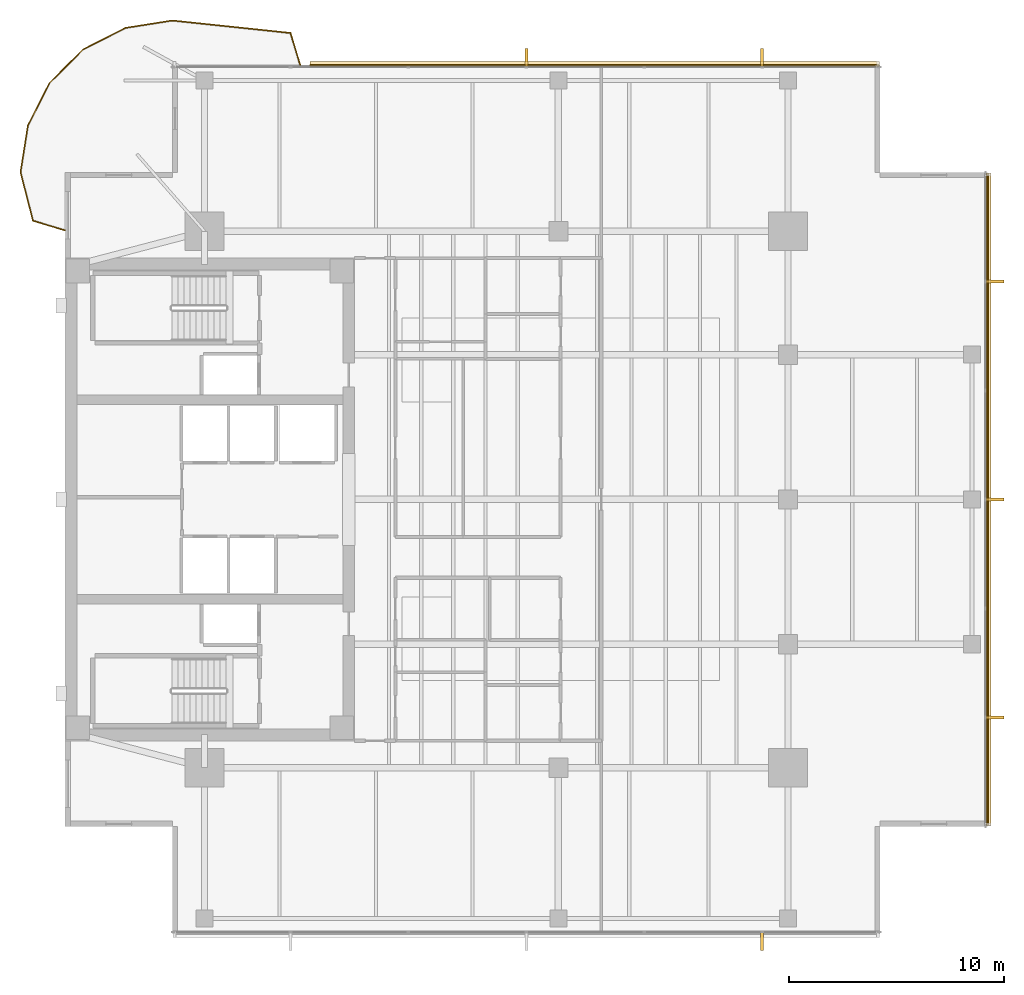
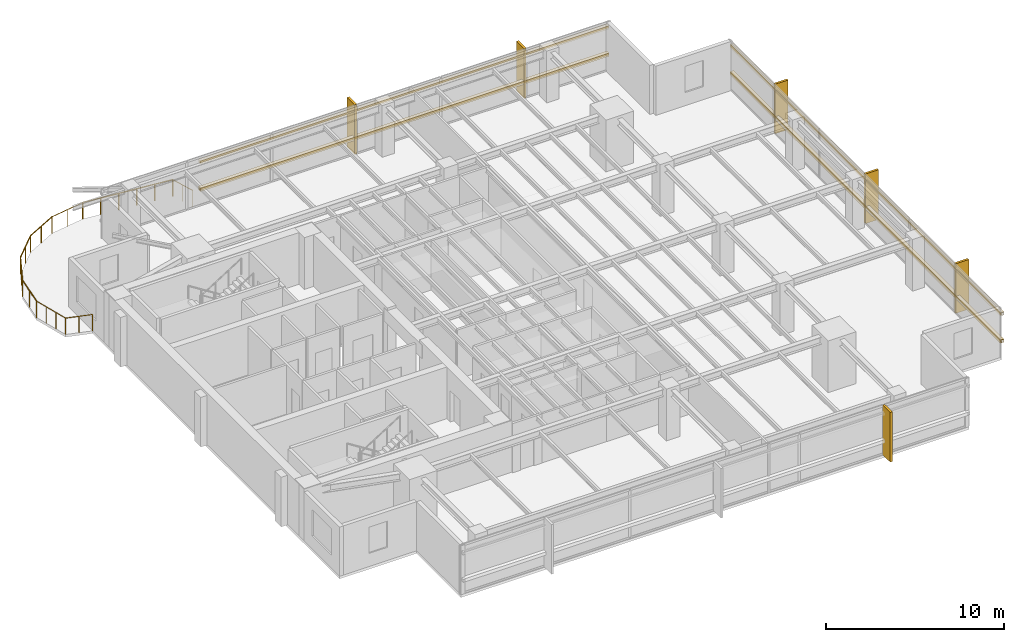
# One storey, part 14 of 14: 10 coverings, 9 railings, 4 shading devices.
"""IFC4 building model written with IfcOpenShell, lengths in metres."""

import ifcopenshell
import ifcopenshell.guid

model = None  # the IFC model being written
_history = None  # IfcOwnerHistory: only IFC2X3 demands one
_inside = {}  # id of a spatial element -> (the spatial element, [elements in it])
_under = {}  # id of a project, library or spatial element -> (it, [spatial elements below it])
_declared = {}  # id of a project -> (the project, [libraries it declares])
_typed = {}  # id of a type object -> (the type object, [elements of that type])
_made_of = {}  # id of a material, layer set ... -> (it, [elements and type objects made of it])


def new_model(schema):
    """Start an empty IFC model of exactly this schema.

    Asked for "IFC4X3", IfcOpenShell would pick the latest addendum, in which some entities
    have other attributes; the version numbers below select the first issue.
    IFC2X3 requires an IfcOwnerHistory on every rooted entity: one is made here for all.
    """
    global model, _history
    if schema == "IFC4X3":
        model = ifcopenshell.file(schema_version=(4, 3, 0, 0))
    else:
        model = ifcopenshell.file(schema=schema)
    _inside.clear()
    _under.clear()
    _declared.clear()
    _typed.clear()
    _made_of.clear()
    _history = None
    if model.schema == "IFC2X3":
        org = make("IfcOrganization", Name="unknown")
        user = make(
            "IfcPersonAndOrganization",
            ThePerson=make("IfcPerson", FamilyName="unknown"),
            TheOrganization=org,
        )
        app = make(
            "IfcApplication",
            ApplicationDeveloper=org,
            Version="unknown",
            ApplicationFullName="unknown",
            ApplicationIdentifier="unknown",
        )
        _history = make(
            "IfcOwnerHistory",
            OwningUser=user,
            OwningApplication=app,
            ChangeAction="ADDED",
            CreationDate=0,
        )
    return model


def make(cls, **values):
    """One entity of the class cls with the attributes given. An attribute that is None is left unset."""
    return model.create_entity(
        cls, **{name: value for name, value in values.items() if value is not None}
    )


def rooted(cls, **values):
    """An entity with a GlobalId (a new one), such as an element, a storey or a relation."""
    return make(cls, GlobalId=ifcopenshell.guid.new(), OwnerHistory=_history, **values)


def si_unit(unit_type, name, prefix=None):
    """IfcSIUnit, for example si_unit("LENGTHUNIT", "METRE", prefix="MILLI")."""
    return make("IfcSIUnit", UnitType=unit_type, Prefix=prefix, Name=name)


def assignment(units):
    """IfcUnitAssignment: the units of a project."""
    return None if units is None else make("IfcUnitAssignment", Units=units)


def point(xyz):
    """IfcCartesianPoint."""
    return None if xyz is None else make("IfcCartesianPoint", Coordinates=xyz)


def direction(xyz):
    """IfcDirection."""
    return None if xyz is None else make("IfcDirection", DirectionRatios=xyz)


def frame(location, z_axis=None, x_axis=None):
    """IfcAxis2Placement3D, a coordinate frame: its origin and axes. An axis left out is left unset."""
    return make(
        "IfcAxis2Placement3D",
        Location=point(location),
        Axis=direction(z_axis),
        RefDirection=direction(x_axis),
    )


def frame_2d(location, x_axis=None):
    """IfcAxis2Placement2D, a coordinate frame in the plane: its origin and x axis."""
    return make(
        "IfcAxis2Placement2D", Location=point(location), RefDirection=direction(x_axis)
    )


def origin():
    """The frame at (0, 0, 0) with its axes left unset."""
    return frame((0.0, 0.0, 0.0))


def origin_2d():
    """The frame at (0, 0) in the plane with its x axis left unset."""
    return frame_2d((0.0, 0.0))


def place(relative_to, where):
    """IfcLocalPlacement: puts the frame where relative to a parent placement (None: the world)."""
    return make(
        "IfcLocalPlacement", PlacementRelTo=relative_to, RelativePlacement=where
    )


def context(
    kind, dimensions, precision=None, world=None, true_north=None, identifier=None
):
    """IfcGeometricRepresentationContext, for example the 3D "Model" context."""
    return make(
        "IfcGeometricRepresentationContext",
        ContextIdentifier=identifier,
        ContextType=kind,
        CoordinateSpaceDimension=dimensions,
        Precision=precision,
        WorldCoordinateSystem=world,
        TrueNorth=true_north,
    )


def subcontext(parent, identifier, kind, view, scale=None):
    """IfcGeometricRepresentationSubContext, for example "Body" below "Model"."""
    return make(
        "IfcGeometricRepresentationSubContext",
        ContextIdentifier=identifier,
        ContextType=kind,
        ParentContext=parent,
        TargetScale=scale,
        TargetView=view,
    )


def project(units=None, contexts=None):
    """IfcProject with its units and contexts."""
    return rooted(
        "IfcProject",
        Name="project",
        RepresentationContexts=contexts,
        UnitsInContext=assignment(units),
    )


def spatial(cls, under=None, at=None, **own):
    """A site, building, storey or space (cls), placed at a placement, below another one or the project."""
    s = rooted(cls, ObjectPlacement=at, **own)
    if under is not None:
        _under.setdefault(under.id(), (under, []))[1].append(s)
    return s


def polyline(points):
    """IfcPolyline through the points."""
    return make("IfcPolyline", Points=[point(p) for p in points])


def profile(cls, at=None, kind="AREA", **sizes):
    """A parametric profile (cls). Its sizes go by their IFC names, for example OverallWidth=200.0."""
    return make(cls, ProfileType=kind, Position=at, **sizes)


def rectangle(**sizes):
    """IfcRectangleProfileDef."""
    return profile("IfcRectangleProfileDef", **sizes)


def circle(**sizes):
    """IfcCircleProfileDef."""
    return profile("IfcCircleProfileDef", **sizes)


def outline(outer, holes=None, kind="AREA"):
    """IfcArbitraryClosedProfileDef: a profile drawn as a closed curve; with holes, ...WithVoids."""
    if holes is None:
        return make("IfcArbitraryClosedProfileDef", ProfileType=kind, OuterCurve=outer)
    return make(
        "IfcArbitraryProfileDefWithVoids",
        ProfileType=kind,
        OuterCurve=outer,
        InnerCurves=holes,
    )


def extrude(swept, where, along, depth):
    """IfcExtrudedAreaSolid: the profile swept, set in the frame where, extruded along a direction by depth."""
    return make(
        "IfcExtrudedAreaSolid",
        SweptArea=swept,
        Position=where,
        ExtrudedDirection=direction(along),
        Depth=depth,
    )


def shape(context_of_items, identifier, shape_type, items):
    """IfcShapeRepresentation: the items that make up one representation, for example the "Body"."""
    return make(
        "IfcShapeRepresentation",
        ContextOfItems=context_of_items,
        RepresentationIdentifier=identifier,
        RepresentationType=shape_type,
        Items=items,
    )


def material(Name=None, Category=None):
    """IfcMaterial."""
    return make("IfcMaterial", Name=Name, Category=Category)


def layer(
    of_material, thickness, ventilated=None, Name=None, Category=None, Priority=None
):
    """IfcMaterialLayer: one layer of a wall or slab, of a material (None: an air gap)."""
    return make(
        "IfcMaterialLayer",
        Material=of_material,
        LayerThickness=thickness,
        IsVentilated=ventilated,
        Name=Name,
        Category=Category,
        Priority=Priority,
    )


def layer_set(layers, Name=None):
    """IfcMaterialLayerSet."""
    return make("IfcMaterialLayerSet", MaterialLayers=layers, LayerSetName=Name)


def material_profile(
    of_material, cross_section, Name=None, Category=None, Priority=None
):
    """IfcMaterialProfile: a cross section and its material."""
    return make(
        "IfcMaterialProfile",
        Name=Name,
        Material=of_material,
        Profile=cross_section,
        Priority=Priority,
        Category=Category,
    )


def profile_set(profiles, Name=None, composite=None):
    """IfcMaterialProfileSet."""
    return make(
        "IfcMaterialProfileSet",
        Name=Name,
        MaterialProfiles=profiles,
        CompositeProfile=composite,
    )


def made_of(thing, what):
    """Note that an element or type object is made of a material, layer set ...; save() writes the relation."""
    if what is not None:
        _made_of.setdefault(what.id(), (what, []))[1].append(thing)
    return thing


def type_object(cls, material=None, **own):
    """A type object (cls), such as IfcWallType, which elements share."""
    return made_of(rooted(cls, **own), material)


def element(
    cls,
    number,
    at=None,
    inside=None,
    cuts=None,
    type_object=None,
    material=None,
    context=None,
    identifier="Body",
    shape_type=None,
    held_by="IfcProductDefinitionShape",
    body=None,
    shapes=None,
    **own,
):
    """One element of the class cls, such as IfcWall. Its Tag is "e" and its number.

    at: its placement. inside: the storey or other place that contains it. cuts: it is an
    opening in that element (IfcRelVoidsElement). A single representation is given by context,
    identifier, shape_type and body (its items); several are given by shapes. held_by: the class
    of the entity that holds the representations. save() writes the other relations.
    """
    e = rooted(cls, Tag="e%d" % number, ObjectPlacement=at, **own)
    if body is not None:
        shapes = [shape(context, identifier, shape_type, body)]
    if shapes is not None:
        e.Representation = make(held_by, Representations=shapes)
    if inside is not None:
        _inside.setdefault(inside.id(), (inside, []))[1].append(e)
    if cuts is not None:
        rooted(
            "IfcRelVoidsElement", RelatingBuildingElement=cuts, RelatedOpeningElement=e
        )
    if type_object is not None:
        _typed.setdefault(type_object.id(), (type_object, []))[1].append(e)
    return made_of(e, material)


def aggregate(whole, parts):
    """IfcRelAggregates: a whole, such as a stair, and the parts it consists of."""
    return rooted("IfcRelAggregates", RelatingObject=whole, RelatedObjects=parts)


def save(model, path):
    """Write the relations noted so far, then the file.

    IfcRelAggregates (storeys below a building ...), IfcRelContainedInSpatialStructure (elements
    in a storey), IfcRelDefinesByType, IfcRelAssociatesMaterial and IfcRelDeclares: one each for
    every whole, place, type object, material and project.
    """
    for whole, parts in _under.values():
        aggregate(whole, parts)
    for where, things in _inside.values():
        rooted(
            "IfcRelContainedInSpatialStructure",
            RelatedElements=things,
            RelatingStructure=where,
        )
    for kind, things in _typed.values():
        rooted("IfcRelDefinesByType", RelatedObjects=things, RelatingType=kind)
    for what, things in _made_of.values():
        rooted("IfcRelAssociatesMaterial", RelatedObjects=things, RelatingMaterial=what)
    for by, libraries in _declared.values():
        rooted("IfcRelDeclares", RelatingContext=by, RelatedDefinitions=libraries)
    model.write(path)


model = new_model("IFC4")

# Units and contexts
model_context = context("Model", 3, precision=1e-05, world=origin(), true_north=direction((0.0, 1.0)))
body_context = subcontext(model_context, "Body", "Model", "MODEL_VIEW")
ifc_project = project(units=[si_unit("LENGTHUNIT", "METRE"), si_unit("AREAUNIT", "SQUARE_METRE"), si_unit("VOLUMEUNIT", "CUBIC_METRE"), si_unit("PLANEANGLEUNIT", "RADIAN"), si_unit("MASSUNIT", "GRAM", prefix="KILO")], contexts=[model_context])

# Site, building, storey
site_placement = place(None, origin())
site = spatial("IfcSite", under=ifc_project, at=site_placement, CompositionType="ELEMENT")
building_placement = place(site_placement, origin())
building = spatial("IfcBuilding", under=site, at=building_placement, Name="Kinhvarn Gate Tower", CompositionType="ELEMENT")
storey_placement = place(building_placement, frame((0.0, 0.0, 198.699951171875)))
storey = spatial("IfcBuildingStorey", under=building, at=storey_placement, Name="L52", CompositionType="ELEMENT", Elevation=198.699951171875)

# Coverings
ifc_material_1 = material(Name="Fired architectural terracotta", Category="masonry")
ifc_layer_1 = layer(ifc_material_1, 0.239990234375)
ifc_layer_set_1 = layer_set([ifc_layer_1], Name="Fired architectural terracotta")
covering_type_1 = type_object("IfcCoveringType", Name="COV-BAG-220", PredefinedType="CLADDING", material=ifc_layer_set_1)
covering_1_placement = place(storey_placement, frame((0.0, 0.0, 0.93994140625)))
element("IfcCovering", 1, at=covering_1_placement, inside=storey, type_object=covering_type_1, Name="Terracotta Horizontal Sunscreen Band TBG-220 (L52)", PredefinedType="CLADDING", context=body_context, shape_type="SweptSolid", body=[
    extrude(outline(polyline([(42.4599609375, 45.429931640625), (15.910888671875, 45.429931640625), (15.910888671875, 45.669921875), (42.4599609375, 45.669921875), (42.4599609375, 45.429931640625)])), origin(), (0.0, 0.0, 1.0), 0.22021484375),
])
covering_2_placement = place(storey_placement, frame((0.0, 0.0, 2.81005859375)))
element("IfcCovering", 2, at=covering_2_placement, inside=storey, type_object=covering_type_1, Name="Terracotta Horizontal Sunscreen Band TBG-220 (L52)", PredefinedType="CLADDING", context=body_context, shape_type="SweptSolid", body=[
    extrude(outline(polyline([(42.4599609375, 45.429931640625), (15.910888671875, 45.429931640625), (15.910888671875, 45.669921875), (42.4599609375, 45.669921875), (42.4599609375, 45.429931640625)])), origin(), (0.0, 0.0, 1.0), 0.219970703125),
])
covering_3_placement = place(storey_placement, frame((0.0, 0.0, 0.93994140625)))
element("IfcCovering", 3, at=covering_3_placement, inside=storey, type_object=covering_type_1, Name="Terracotta Horizontal Sunscreen Band TBG-220 (L52)", PredefinedType="CLADDING", context=body_context, shape_type="SweptSolid", body=[
    extrude(outline(polyline([(47.429931640625, 10.0400390625), (47.429931640625, 40.4599609375), (47.669921875, 40.4599609375), (47.669921875, 10.0400390625), (47.429931640625, 10.0400390625)])), origin(), (0.0, 0.0, 1.0), 0.22021484375),
])
covering_4_placement = place(storey_placement, frame((0.0, 0.0, 2.81005859375)))
element("IfcCovering", 4, at=covering_4_placement, inside=storey, type_object=covering_type_1, Name="Terracotta Horizontal Sunscreen Band TBG-220 (L52)", PredefinedType="CLADDING", context=body_context, shape_type="SweptSolid", body=[
    extrude(outline(polyline([(47.429931640625, 10.0400390625), (47.429931640625, 40.4599609375), (47.669921875, 40.4599609375), (47.669921875, 10.0400390625), (47.429931640625, 10.0400390625)])), origin(), (0.0, 0.0, 1.0), 0.219970703125),
])
ifc_layer_2 = layer(ifc_material_1, 0.139892578125)
ifc_layer_set_2 = layer_set([ifc_layer_2], Name="Fired architectural terracotta")
covering_type_2 = type_object("IfcCoveringType", Name="COV-FIN-850", PredefinedType="CLADDING", material=ifc_layer_set_2)
covering_5_placement = place(storey_placement, frame((0.0, 0.0, -0.02001953125)))
element("IfcCovering", 5, at=covering_5_placement, inside=storey, type_object=covering_type_2, Name="Vertical Terracotta Expressive Fin TFN-850 (L52)", PredefinedType="CLADDING", context=body_context, shape_type="SweptSolid", body=[
    extrude(outline(polyline([(36.929931640625, 5.080078125), (37.070068359375, 5.080078125), (37.070068359375, 4.22998046875), (36.929931640625, 4.22998046875), (36.929931640625, 5.080078125)])), origin(), (0.0, 0.0, 1.0), 3.41015625),
])
covering_6_placement = place(storey_placement, frame((0.0, 0.0, -0.02001953125)))
element("IfcCovering", 6, at=covering_6_placement, inside=storey, type_object=covering_type_2, Name="Vertical Terracotta Expressive Fin TFN-850 (L52)", PredefinedType="CLADDING", context=body_context, shape_type="SweptSolid", body=[
    extrude(outline(polyline([(37.070068359375, 45.419921875), (36.929931640625, 45.419921875), (36.929931640625, 46.27001953125), (37.070068359375, 46.27001953125), (37.070068359375, 45.419921875)])), origin(), (0.0, 0.0, 1.0), 3.41015625),
])
covering_7_placement = place(storey_placement, frame((0.0, 0.0, -0.02001953125)))
element("IfcCovering", 7, at=covering_7_placement, inside=storey, type_object=covering_type_2, Name="Vertical Terracotta Expressive Fin TFN-850 (L52)", PredefinedType="CLADDING", context=body_context, shape_type="SweptSolid", body=[
    extrude(outline(polyline([(26.070068359375, 45.419921875), (25.929931640625, 45.419921875), (25.929931640625, 46.27001953125), (26.070068359375, 46.27001953125), (26.070068359375, 45.419921875)])), origin(), (0.0, 0.0, 1.0), 3.41015625),
])
covering_8_placement = place(storey_placement, frame((0.0, 0.0, -0.02001953125)))
element("IfcCovering", 8, at=covering_8_placement, inside=storey, type_object=covering_type_2, Name="Vertical Terracotta Expressive Fin TFN-850 (L52)", PredefinedType="CLADDING", context=body_context, shape_type="SweptSolid", body=[
    extrude(outline(polyline([(47.419921875, 15.01318359375), (47.419921875, 15.1533203125), (48.27001953125, 15.1533203125), (48.27001953125, 15.01318359375), (47.419921875, 15.01318359375)])), origin(), (0.0, 0.0, 1.0), 3.41015625),
])
covering_9_placement = place(storey_placement, frame((0.0, 0.0, -0.02001953125)))
element("IfcCovering", 9, at=covering_9_placement, inside=storey, type_object=covering_type_2, Name="Vertical Terracotta Expressive Fin TFN-850 (L52)", PredefinedType="CLADDING", context=body_context, shape_type="SweptSolid", body=[
    extrude(outline(polyline([(47.419921875, 25.179931640625), (47.419921875, 25.320068359375), (48.27001953125, 25.320068359375), (48.27001953125, 25.179931640625), (47.419921875, 25.179931640625)])), origin(), (0.0, 0.0, 1.0), 3.41015625),
])
covering_10_placement = place(storey_placement, frame((0.0, 0.0, -0.02001953125)))
element("IfcCovering", 10, at=covering_10_placement, inside=storey, type_object=covering_type_2, Name="Vertical Terracotta Expressive Fin TFN-850 (L52)", PredefinedType="CLADDING", context=body_context, shape_type="SweptSolid", body=[
    extrude(outline(polyline([(47.419921875, 35.3466796875), (47.419921875, 35.48681640625), (48.27001953125, 35.48681640625), (48.27001953125, 35.3466796875), (47.419921875, 35.3466796875)])), origin(), (0.0, 0.0, 1.0), 3.41015625),
])

# Railings
ifc_material_2 = material(Name="Clear low-e double glazing", Category="glass")
railing_type = type_object("IfcRailingType", Name="RL-BAL-1150", PredefinedType="BALUSTRADE", material=ifc_material_2)
railing_1_placement = place(storey_placement, frame((15.4609375, 45.5, 0.0)))
element("IfcRailing", 11, at=railing_1_placement, inside=storey, type_object=railing_type, Name="S-Carve Balcony Guardrail Seg 1 (L52)", PredefinedType="BALUSTRADE", context=body_context, shape_type="SweptSolid", body=[
    extrude(circle(Radius=0.02392578125, at=origin_2d()), frame((0.0, 0.0, 1.1259765625), z_axis=(-0.288266132097, 0.957550331359, 0.0), x_axis=(-0.957550331359, -0.288266132097, 0.0)), (0.0, 0.0, 1.0), 1.560791015625),
    extrude(circle(Radius=0.02099609375, at=origin_2d()), origin(), (0.0, 0.0, 1.0), 1.101806640625),
    extrude(circle(Radius=0.02099609375, at=origin_2d()), frame((-0.22509765625, 0.747314453125, 0.0)), (0.0, 0.0, 1.0), 1.101806640625),
    extrude(circle(Radius=0.02099609375, at=origin_2d()), frame((-0.449951171875, 1.49462890625, 0.0)), (0.0, 0.0, 1.0), 1.101806640625),
])
railing_2_placement = place(storey_placement, frame((15.010986328125, 46.99462890625, 0.0)))
element("IfcRailing", 12, at=railing_2_placement, inside=storey, type_object=railing_type, Name="S-Carve Balcony Guardrail Seg 2 (L52)", PredefinedType="BALUSTRADE", context=body_context, shape_type="SweptSolid", body=[
    extrude(circle(Radius=0.02392578125, at=origin_2d()), frame((0.0, 0.0, 1.1259765625), z_axis=(-0.994482979441, 0.104898062909, 0.0), x_axis=(-0.104898062909, -0.994482979441, 0.0)), (0.0, 0.0, 1.0), 5.54150390625),
    extrude(circle(Radius=0.02099609375, at=origin_2d()), origin(), (0.0, 0.0, 1.0), 1.101806640625),
    extrude(circle(Radius=0.02099609375, at=origin_2d()), frame((-1.102294921875, 0.1162109375, 0.0)), (0.0, 0.0, 1.0), 1.101806640625),
    extrude(circle(Radius=0.02099609375, at=origin_2d()), frame((-2.204345703125, 0.232421875, 0.0)), (0.0, 0.0, 1.0), 1.101806640625),
    extrude(circle(Radius=0.02099609375, at=origin_2d()), frame((-3.306640625, 0.348876953125, 0.0)), (0.0, 0.0, 1.0), 1.101806640625),
    extrude(circle(Radius=0.02099609375, at=origin_2d()), frame((-4.40869140625, 0.465087890625, 0.0)), (0.0, 0.0, 1.0), 1.101806640625),
    extrude(circle(Radius=0.02099609375, at=origin_2d()), frame((-5.510986328125, 0.581298828125, 0.0)), (0.0, 0.0, 1.0), 1.101806640625),
])
railing_3_placement = place(storey_placement, frame((9.5, 47.575927734375, 0.0)))
element("IfcRailing", 13, at=railing_3_placement, inside=storey, type_object=railing_type, Name="S-Carve Balcony Guardrail Seg 3 (L52)", PredefinedType="BALUSTRADE", context=body_context, shape_type="SweptSolid", body=[
    extrude(circle(Radius=0.02392578125, at=origin_2d()), frame((0.0, 0.0, 1.1259765625), z_axis=(-0.987696706484, -0.156381635752, 0.0), x_axis=(0.156381635752, -0.987696706484, 0.0)), (0.0, 0.0, 1.0), 2.2138671875),
    extrude(circle(Radius=0.02099609375, at=origin_2d()), origin(), (0.0, 0.0, 1.0), 1.101806640625),
    extrude(circle(Radius=0.02099609375, at=origin_2d()), frame((-1.09326171875, -0.173095703125, 0.0)), (0.0, 0.0, 1.0), 1.101806640625),
    extrude(circle(Radius=0.02099609375, at=origin_2d()), frame((-2.1865234375, -0.34619140625, 0.0)), (0.0, 0.0, 1.0), 1.101806640625),
])
railing_4_placement = place(storey_placement, frame((7.3134765625, 47.229736328125, 0.0)))
element("IfcRailing", 14, at=railing_4_placement, inside=storey, type_object=railing_type, Name="S-Carve Balcony Guardrail Seg 4 (L52)", PredefinedType="BALUSTRADE", context=body_context, shape_type="SweptSolid", body=[
    extrude(circle(Radius=0.02392578125, at=origin_2d()), frame((0.0, 0.0, 1.1259765625), z_axis=(-0.891004991149, -0.453993508485, 0.0), x_axis=(0.453993508485, -0.891004991149, 0.0)), (0.0, 0.0, 1.0), 2.2138671875),
    extrude(circle(Radius=0.02099609375, at=origin_2d()), origin(), (0.0, 0.0, 1.0), 1.101806640625),
    extrude(circle(Radius=0.02099609375, at=origin_2d()), frame((-0.986328125, -0.50244140625, 0.0)), (0.0, 0.0, 1.0), 1.101806640625),
    extrude(circle(Radius=0.02099609375, at=origin_2d()), frame((-1.97265625, -1.005126953125, 0.0)), (0.0, 0.0, 1.0), 1.101806640625),
])
railing_5_placement = place(storey_placement, frame((5.3408203125, 46.224609375, 0.0)))
element("IfcRailing", 15, at=railing_5_placement, inside=storey, type_object=railing_type, Name="S-Carve Balcony Guardrail Seg 5 (L52)", PredefinedType="BALUSTRADE", context=body_context, shape_type="SweptSolid", body=[
    extrude(circle(Radius=0.02392578125, at=origin_2d()), frame((0.0, 0.0, 1.1259765625), z_axis=(-0.707106781187, -0.707106781187, 0.0), x_axis=(0.707106781187, -0.707106781187, 0.0)), (0.0, 0.0, 1.0), 2.2138671875),
    extrude(circle(Radius=0.02099609375, at=origin_2d()), origin(), (0.0, 0.0, 1.0), 1.101806640625),
    extrude(circle(Radius=0.02099609375, at=origin_2d()), frame((-0.78271484375, -0.78271484375, 0.0)), (0.0, 0.0, 1.0), 1.101806640625),
    extrude(circle(Radius=0.02099609375, at=origin_2d()), frame((-1.5654296875, -1.5654296875, 0.0)), (0.0, 0.0, 1.0), 1.101806640625),
])
railing_6_placement = place(storey_placement, frame((3.775390625, 44.6591796875, 0.0)))
element("IfcRailing", 16, at=railing_6_placement, inside=storey, type_object=railing_type, Name="S-Carve Balcony Guardrail Seg 6 (L52)", PredefinedType="BALUSTRADE", context=body_context, shape_type="SweptSolid", body=[
    extrude(circle(Radius=0.02392578125, at=origin_2d()), frame((0.0, 0.0, 1.1259765625), z_axis=(-0.453993508485, -0.891004991149, 0.0), x_axis=(0.891004991149, -0.453993508485, 0.0)), (0.0, 0.0, 1.0), 2.2138671875),
    extrude(circle(Radius=0.02099609375, at=origin_2d()), origin(), (0.0, 0.0, 1.0), 1.101806640625),
    extrude(circle(Radius=0.02099609375, at=origin_2d()), frame((-0.50244140625, -0.986328125, 0.0)), (0.0, 0.0, 1.0), 1.101806640625),
    extrude(circle(Radius=0.02099609375, at=origin_2d()), frame((-1.005126953125, -1.97265625, 0.0)), (0.0, 0.0, 1.0), 1.101806640625),
])
railing_7_placement = place(storey_placement, frame((2.770263671875, 42.6865234375, 0.0)))
element("IfcRailing", 17, at=railing_7_placement, inside=storey, type_object=railing_type, Name="S-Carve Balcony Guardrail Seg 7 (L52)", PredefinedType="BALUSTRADE", context=body_context, shape_type="SweptSolid", body=[
    extrude(circle(Radius=0.02392578125, at=origin_2d()), frame((0.0, 0.0, 1.1259765625), z_axis=(-0.156381635752, -0.987696706484, 0.0), x_axis=(0.987696706484, -0.156381635752, 0.0)), (0.0, 0.0, 1.0), 2.2138671875),
    extrude(circle(Radius=0.02099609375, at=origin_2d()), origin(), (0.0, 0.0, 1.0), 1.101806640625),
    extrude(circle(Radius=0.02099609375, at=origin_2d()), frame((-0.173095703125, -1.09326171875, 0.0)), (0.0, 0.0, 1.0), 1.101806640625),
    extrude(circle(Radius=0.02099609375, at=origin_2d()), frame((-0.34619140625, -2.1865234375, 0.0)), (0.0, 0.0, 1.0), 1.101806640625),
])
railing_8_placement = place(storey_placement, frame((2.424072265625, 40.5, 0.0)))
element("IfcRailing", 18, at=railing_8_placement, inside=storey, type_object=railing_type, Name="S-Carve Balcony Guardrail Seg 8 (L52)", PredefinedType="BALUSTRADE", context=body_context, shape_type="SweptSolid", body=[
    extrude(circle(Radius=0.02392578125, at=origin_2d()), frame((0.0, 0.0, 1.1259765625), z_axis=(0.249304799703, -0.968425070331, 0.0), x_axis=(0.968425070331, 0.249304799703, 0.0)), (0.0, 0.0, 1.0), 2.331787109375),
    extrude(circle(Radius=0.02099609375, at=origin_2d()), origin(), (0.0, 0.0, 1.0), 1.101806640625),
    extrude(circle(Radius=0.02099609375, at=origin_2d()), frame((0.19384765625, -0.752685546875, 0.0)), (0.0, 0.0, 1.0), 1.101806640625),
    extrude(circle(Radius=0.02099609375, at=origin_2d()), frame((0.387451171875, -1.50537109375, 0.0)), (0.0, 0.0, 1.0), 1.101806640625),
    extrude(circle(Radius=0.02099609375, at=origin_2d()), frame((0.581298828125, -2.258056640625, 0.0)), (0.0, 0.0, 1.0), 1.101806640625),
])
railing_9_placement = place(storey_placement, frame((3.00537109375, 38.241943359375, 0.0)))
element("IfcRailing", 19, at=railing_9_placement, inside=storey, type_object=railing_type, Name="S-Carve Balcony Guardrail Seg 9 (L52)", PredefinedType="BALUSTRADE", context=body_context, shape_type="SweptSolid", body=[
    extrude(circle(Radius=0.02392578125, at=origin_2d()), frame((0.0, 0.0, 1.1259765625), z_axis=(0.957550331359, -0.288266132097, 0.0), x_axis=(0.288266132097, 0.957550331359, 0.0)), (0.0, 0.0, 1.0), 1.560791015625),
    extrude(circle(Radius=0.02099609375, at=origin_2d()), origin(), (0.0, 0.0, 1.0), 1.101806640625),
    extrude(circle(Radius=0.02099609375, at=origin_2d()), frame((0.747314453125, -0.22509765625, 0.0)), (0.0, 0.0, 1.0), 1.101806640625),
    extrude(circle(Radius=0.02099609375, at=origin_2d()), frame((1.49462890625, -0.449951171875, 0.0)), (0.0, 0.0, 1.0), 1.101806640625),
])

# Shading devices
ifc_material_profile = material_profile(ifc_material_1, rectangle(XDim=0.050048828125, YDim=0.1201171875, at=origin_2d()), Name="TC 50x120")
ifc_profile_set = profile_set([ifc_material_profile], Name="Fired architectural terracotta")
shading_device_type = type_object("IfcShadingDeviceType", Name="SHD-BAG-140", PredefinedType="USERDEFINED", material=ifc_profile_set)
for number, where, z_axis, x_axis, name in (
    (20, (42.4599609375, 45.5, 1.050048828125), (-1.0, 0.0, 0.0), (0.0, -1.0, 0.0), "Upper Tower Terracotta Baguette Screen Rod 50x120 mm (L52)"),
    (21, (42.4599609375, 45.5, 2.920166015625), (-1.0, 0.0, 0.0), (0.0, -1.0, 0.0), "Upper Tower Terracotta Baguette Screen Rod 50x120 mm (L52)"),
):
    element("IfcShadingDevice", number, at=place(storey_placement, frame(where, z_axis=z_axis, x_axis=x_axis)), inside=storey, type_object=shading_device_type, Name=name, ObjectType="BAGUETTE", PredefinedType="USERDEFINED", context=body_context, shape_type="SweptSolid", body=[
        extrude(rectangle(XDim=0.050048828125, YDim=0.1201171875, at=origin_2d()), origin(), (0.0, 0.0, 1.0), 26.549072265625),
    ])
for number, where, z_axis, x_axis, name in (
    (22, (47.5, 10.0400390625, 1.050048828125), (0.0, 1.0, 0.0), (-1.0, 0.0, 0.0), "Upper Tower Terracotta Baguette Screen Rod 50x120 mm (L52)"),
    (23, (47.5, 10.0400390625, 2.920166015625), (0.0, 1.0, 0.0), (-1.0, 0.0, 0.0), "Upper Tower Terracotta Baguette Screen Rod 50x120 mm (L52)"),
):
    element("IfcShadingDevice", number, at=place(storey_placement, frame(where, z_axis=z_axis, x_axis=x_axis)), inside=storey, type_object=shading_device_type, Name=name, ObjectType="BAGUETTE", PredefinedType="USERDEFINED", context=body_context, shape_type="SweptSolid", body=[
        extrude(rectangle(XDim=0.050048828125, YDim=0.1201171875, at=origin_2d()), origin(), (0.0, 0.0, 1.0), 30.419921875),
    ])

save(model, "model.ifc")
